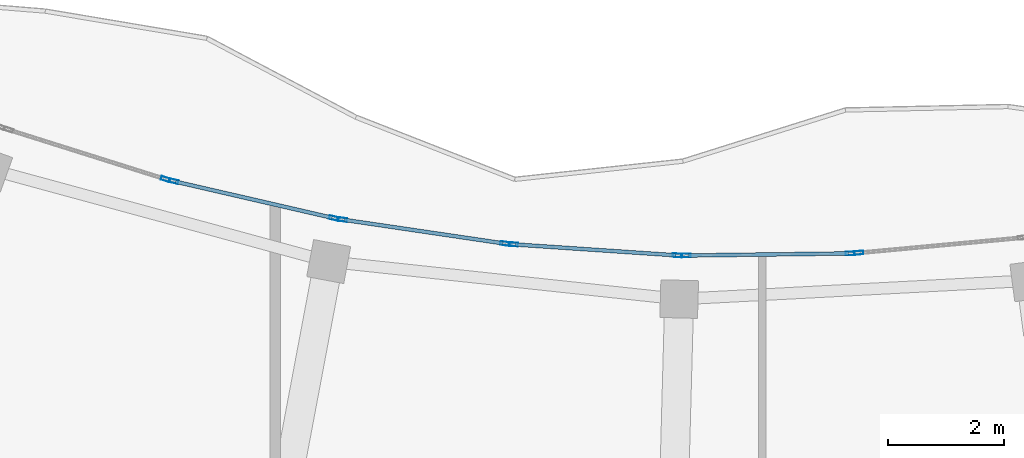
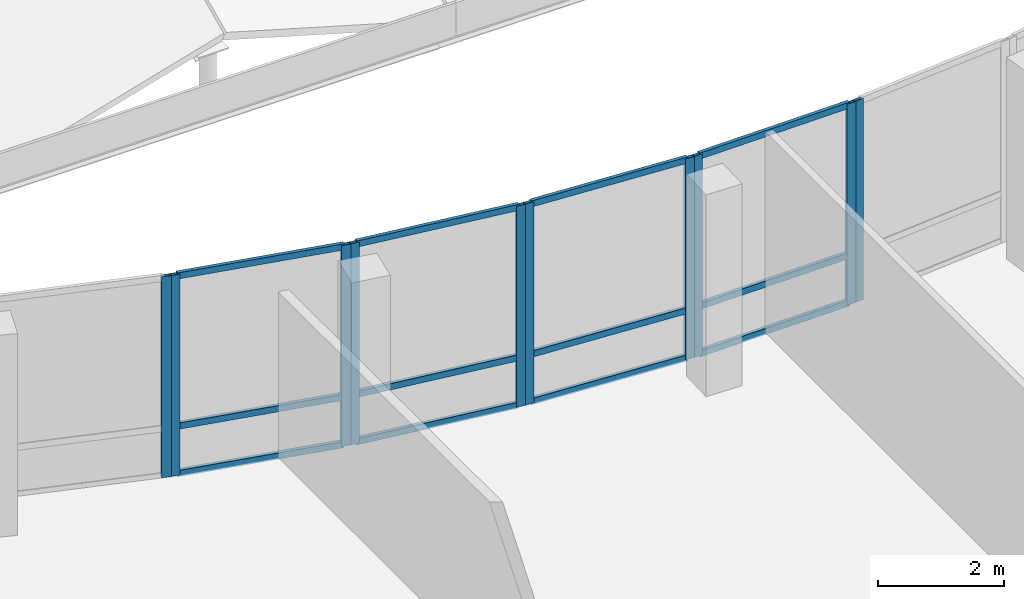
# One storey, part 38 of 184: 22 members, 6 elements without a shape of their own.
"""IFC4 building model written with IfcOpenShell, lengths in metres."""

from ifc_helpers import new_model, si_unit, direction, frame, origin, origin_2d, place, context, subcontext, project, spatial, hollow_rectangle, extrude, material, material_profile, profile_set, type_object, element, aggregate, save


model = new_model("IFC4")

# Units and contexts
model_context = context("Model", 3, precision=1e-05, world=origin(), true_north=direction((0.0, 1.0)))
body_context = subcontext(model_context, "Body", "Model", "MODEL_VIEW")
ifc_project = project(units=[si_unit("LENGTHUNIT", "METRE"), si_unit("AREAUNIT", "SQUARE_METRE"), si_unit("VOLUMEUNIT", "CUBIC_METRE"), si_unit("PLANEANGLEUNIT", "RADIAN"), si_unit("MASSUNIT", "GRAM", prefix="KILO")], contexts=[model_context])

# Site, building, storey
site_placement = place(None, origin())
site = spatial("IfcSite", under=ifc_project, at=site_placement, CompositionType="ELEMENT")
building_placement = place(site_placement, origin())
building = spatial("IfcBuilding", under=site, at=building_placement, Name="Selatvlak General Hospital", CompositionType="ELEMENT")
storey_placement = place(building_placement, frame((0.0, 0.0, 15.0)))
storey = spatial("IfcBuildingStorey", under=building, at=storey_placement, Name="L03", CompositionType="ELEMENT", Elevation=15.0)

# Curtain wall, member
ifc_material_1 = material(Name="Solar-control Low-E double glazing", Category="glass")
curtain_wall_type_1 = type_object("IfcCurtainWallType", Name="CW-CW-02", PredefinedType="USERDEFINED", material=ifc_material_1)
curtain_wall_1_placement = place(storey_placement, origin())
curtain_wall_1 = element("IfcCurtainWall", 1, at=curtain_wall_1_placement, inside=storey, type_object=curtain_wall_type_1, Name="Glazed facade curtain wall CW-L03-0446", ObjectType="UNITISED CURTAIN WALL", PredefinedType="USERDEFINED")
ifc_material_2 = material(Name="Dark anodised aluminium mullion", Category="aluminium")
ifc_material_profile_1 = material_profile(ifc_material_2, hollow_rectangle(XDim=0.06494140625, YDim=0.159912109375, WallThickness=0.00390625, at=origin_2d()), Name="AL-MUL 65x160x4")
ifc_profile_set_1 = profile_set([ifc_material_profile_1], Name="Dark anodised aluminium mullion")
member_type_1 = type_object("IfcMemberType", Name="CWM-01", PredefinedType="MULLION", material=ifc_profile_set_1)
member_1_placement = place(storey_placement, frame((46.111083984375, 43.330810546875, 0.0), z_axis=(0.0, 0.0, 1.0), x_axis=(0.300372930504, 0.953821840084, 0.0)))
member_1 = element("IfcMember", 2, at=member_1_placement, type_object=member_type_1, Name="CW-02 mullion 2", PredefinedType="MULLION", context=body_context, shape_type="SweptSolid", body=[
    extrude(hollow_rectangle(XDim=0.06494140625, YDim=0.159912109375, WallThickness=0.00390625, at=origin_2d()), origin(), (0.0, 0.0, 1.0), 3.89501953125),
])
aggregate(curtain_wall_1, [member_1])

# Curtain wall, members
curtain_wall_type_2 = type_object("IfcCurtainWallType", Name="CW-CW-01", PredefinedType="USERDEFINED", material=ifc_material_1)
curtain_wall_2_placement = place(storey_placement, origin())
curtain_wall_2 = element("IfcCurtainWall", 3, at=curtain_wall_2_placement, inside=storey, type_object=curtain_wall_type_2, Name="Glazed facade curtain wall CW-L03-0447", ObjectType="UNITISED CURTAIN WALL", PredefinedType="USERDEFINED")
member_2_placement = place(storey_placement, frame((46.251708984375, 43.294677734375, 0.0), z_axis=(0.0, 0.0, 1.0), x_axis=(0.224481730976, 0.974478297582, 0.0)))
member_2 = element("IfcMember", 4, at=member_2_placement, type_object=member_type_1, Name="CW-01 mullion 1", PredefinedType="MULLION", context=body_context, shape_type="SweptSolid", body=[
    extrude(hollow_rectangle(XDim=0.06494140625, YDim=0.159912109375, WallThickness=0.00390625, at=origin_2d()), origin(), (0.0, 0.0, 1.0), 3.89501953125),
])
member_3_placement = place(storey_placement, frame((49.014404296875, 42.658203125, 0.0), z_axis=(0.0, 0.0, 1.0), x_axis=(0.224481730976, 0.974478297582, 0.0)))
member_3 = element("IfcMember", 5, at=member_3_placement, type_object=member_type_1, Name="CW-01 mullion 2", PredefinedType="MULLION", context=body_context, shape_type="SweptSolid", body=[
    extrude(hollow_rectangle(XDim=0.06494140625, YDim=0.159912109375, WallThickness=0.00390625, at=origin_2d()), origin(), (0.0, 0.0, 1.0), 3.89501953125),
])

curtain_wall_3_placement = place(storey_placement, origin())
curtain_wall_3 = element("IfcCurtainWall", 6, at=curtain_wall_3_placement, inside=storey, type_object=curtain_wall_type_1, Name="Glazed facade curtain wall CW-L03-0448", ObjectType="UNITISED CURTAIN WALL", PredefinedType="USERDEFINED")
member_4_placement = place(storey_placement, frame((49.1572265625, 42.63427734375, 0.0), z_axis=(0.0, 0.0, 1.0), x_axis=(0.146148900327, 0.989262603626, 0.0)))
member_4 = element("IfcMember", 7, at=member_4_placement, type_object=member_type_1, Name="CW-02 mullion 1", PredefinedType="MULLION", context=body_context, shape_type="SweptSolid", body=[
    extrude(hollow_rectangle(XDim=0.06494140625, YDim=0.159912109375, WallThickness=0.00390625, at=origin_2d()), origin(), (0.0, 0.0, 1.0), 3.89501953125),
])
member_5_placement = place(storey_placement, frame((51.962890625, 42.2197265625, 0.0), z_axis=(0.0, 0.0, 1.0), x_axis=(0.146148900327, 0.989262603626, 0.0)))
member_5 = element("IfcMember", 8, at=member_5_placement, type_object=member_type_1, Name="CW-02 mullion 2", PredefinedType="MULLION", context=body_context, shape_type="SweptSolid", body=[
    extrude(hollow_rectangle(XDim=0.06494140625, YDim=0.159912109375, WallThickness=0.00390625, at=origin_2d()), origin(), (0.0, 0.0, 1.0), 3.89501953125),
])

curtain_wall_4_placement = place(storey_placement, origin())
curtain_wall_4 = element("IfcCurtainWall", 9, at=curtain_wall_4_placement, inside=storey, type_object=curtain_wall_type_2, Name="Glazed facade curtain wall CW-L03-0449", ObjectType="UNITISED CURTAIN WALL", PredefinedType="USERDEFINED")
member_6_placement = place(storey_placement, frame((52.107421875, 42.206787109375, 0.0), z_axis=(0.0, 0.0, 1.0), x_axis=(0.067182127799, 0.997740728699, 0.0)))
member_6 = element("IfcMember", 10, at=member_6_placement, type_object=member_type_1, Name="CW-01 mullion 1", PredefinedType="MULLION", context=body_context, shape_type="SweptSolid", body=[
    extrude(hollow_rectangle(XDim=0.06494140625, YDim=0.159912109375, WallThickness=0.00390625, at=origin_2d()), origin(), (0.0, 0.0, 1.0), 3.89501953125),
])
member_7_placement = place(storey_placement, frame((54.9384765625, 42.01611328125, 0.0), z_axis=(0.0, 0.0, 1.0), x_axis=(0.067182127799, 0.997740728699, 0.0)))
member_7 = element("IfcMember", 11, at=member_7_placement, type_object=member_type_1, Name="CW-01 mullion 2", PredefinedType="MULLION", context=body_context, shape_type="SweptSolid", body=[
    extrude(hollow_rectangle(XDim=0.06494140625, YDim=0.159912109375, WallThickness=0.00390625, at=origin_2d()), origin(), (0.0, 0.0, 1.0), 3.89501953125),
])

curtain_wall_5_placement = place(storey_placement, origin())
curtain_wall_5 = element("IfcCurtainWall", 12, at=curtain_wall_5_placement, inside=storey, type_object=curtain_wall_type_1, Name="Glazed facade curtain wall CW-L03-0450", ObjectType="UNITISED CURTAIN WALL", PredefinedType="USERDEFINED")
member_8_placement = place(storey_placement, frame((55.08349609375, 42.014404296875, 0.0), z_axis=(0.0, 0.0, 1.0), x_axis=(-0.012761982337, 0.999918562587, 0.0)))
member_8 = element("IfcMember", 13, at=member_8_placement, type_object=member_type_1, Name="CW-02 mullion 1", PredefinedType="MULLION", context=body_context, shape_type="SweptSolid", body=[
    extrude(hollow_rectangle(XDim=0.06494140625, YDim=0.159912109375, WallThickness=0.00390625, at=origin_2d()), origin(), (0.0, 0.0, 1.0), 3.89501953125),
])
member_9_placement = place(storey_placement, frame((57.91748046875, 42.050537109375, 0.0), z_axis=(0.0, 0.0, 1.0), x_axis=(-0.012761982337, 0.999918562587, 0.0)))
member_9 = element("IfcMember", 14, at=member_9_placement, type_object=member_type_1, Name="CW-02 mullion 2", PredefinedType="MULLION", context=body_context, shape_type="SweptSolid", body=[
    extrude(hollow_rectangle(XDim=0.06494140625, YDim=0.159912109375, WallThickness=0.00390625, at=origin_2d()), origin(), (0.0, 0.0, 1.0), 3.89501953125),
])

# Curtain wall, member
curtain_wall_6_placement = place(storey_placement, origin())
curtain_wall_6 = element("IfcCurtainWall", 15, at=curtain_wall_6_placement, inside=storey, type_object=curtain_wall_type_2, Name="Glazed facade curtain wall CW-L03-0451", ObjectType="UNITISED CURTAIN WALL", PredefinedType="USERDEFINED")
member_10_placement = place(storey_placement, frame((58.062255859375, 42.06005859375, 0.0), z_axis=(0.0, 0.0, 1.0), x_axis=(-0.092369074668, 0.99572483852, 0.0)))
member_10 = element("IfcMember", 16, at=member_10_placement, type_object=member_type_1, Name="CW-01 mullion 1", PredefinedType="MULLION", context=body_context, shape_type="SweptSolid", body=[
    extrude(hollow_rectangle(XDim=0.06494140625, YDim=0.159912109375, WallThickness=0.00390625, at=origin_2d()), origin(), (0.0, 0.0, 1.0), 3.89501953125),
])
aggregate(curtain_wall_6, [member_10])

# Member
ifc_material_profile_2 = material_profile(ifc_material_2, hollow_rectangle(XDim=0.06494140625, YDim=0.1201171875, WallThickness=0.00390625, at=origin_2d()), Name="AL-TRN 65x120x4")
ifc_profile_set_2 = profile_set([ifc_material_profile_2], Name="Dark anodised aluminium mullion")
member_type_2 = type_object("IfcMemberType", Name="CWT-01", PredefinedType="USERDEFINED", material=ifc_profile_set_2)
member_11_placement = place(storey_placement, frame((46.283447265625, 43.287353515625, 0.032470703125), z_axis=(0.974475800427, -0.224492570883, 0.0), x_axis=(0.224492570883, 0.974475800427, 0.0)))
member_11 = element("IfcMember", 17, at=member_11_placement, type_object=member_type_2, Name="CW-01 transom 1.1", ObjectType="TRANSOM", PredefinedType="USERDEFINED", context=body_context, shape_type="SweptSolid", body=[
    extrude(hollow_rectangle(XDim=0.06494140625, YDim=0.1201171875, WallThickness=0.00390625, at=origin_2d()), origin(), (0.0, 0.0, 1.0), 2.77001953125),
])

member_12_placement = place(storey_placement, frame((46.283447265625, 43.287353515625, 0.949951171875), z_axis=(0.974475800427, -0.224492570883, 0.0), x_axis=(0.224492570883, 0.974475800427, 0.0)))
member_12 = element("IfcMember", 18, at=member_12_placement, type_object=member_type_2, Name="CW-01 transom 1.2", ObjectType="TRANSOM", PredefinedType="USERDEFINED", context=body_context, shape_type="SweptSolid", body=[
    extrude(hollow_rectangle(XDim=0.06494140625, YDim=0.1201171875, WallThickness=0.00390625, at=origin_2d()), origin(), (0.0, 0.0, 1.0), 2.77001953125),
])

member_13_placement = place(storey_placement, frame((46.283447265625, 43.287353515625, 3.862548828125), z_axis=(0.974475800427, -0.224492570883, 0.0), x_axis=(0.224492570883, 0.974475800427, 0.0)))
member_13 = element("IfcMember", 19, at=member_13_placement, type_object=member_type_2, Name="CW-01 transom 1.3", ObjectType="TRANSOM", PredefinedType="USERDEFINED", context=body_context, shape_type="SweptSolid", body=[
    extrude(hollow_rectangle(XDim=0.06494140625, YDim=0.1201171875, WallThickness=0.00390625, at=origin_2d()), origin(), (0.0, 0.0, 1.0), 2.77001953125),
])

aggregate(curtain_wall_2, [member_2, member_3, member_11, member_12, member_13])

member_14_placement = place(storey_placement, frame((49.189208984375, 42.62939453125, 0.032470703125), z_axis=(0.989274299391, -0.146069711318, 0.0), x_axis=(0.146069711318, 0.989274299391, 0.0)))
member_14 = element("IfcMember", 20, at=member_14_placement, type_object=member_type_2, Name="CW-02 transom 1.1", ObjectType="TRANSOM", PredefinedType="USERDEFINED", context=body_context, shape_type="SweptSolid", body=[
    extrude(hollow_rectangle(XDim=0.06494140625, YDim=0.1201171875, WallThickness=0.00390625, at=origin_2d()), origin(), (0.0, 0.0, 1.0), 2.771240234375),
])

member_15_placement = place(storey_placement, frame((49.189208984375, 42.62939453125, 0.949951171875), z_axis=(0.989274299391, -0.146069711318, 0.0), x_axis=(0.146069711318, 0.989274299391, 0.0)))
member_15 = element("IfcMember", 21, at=member_15_placement, type_object=member_type_2, Name="CW-02 transom 1.2", ObjectType="TRANSOM", PredefinedType="USERDEFINED", context=body_context, shape_type="SweptSolid", body=[
    extrude(hollow_rectangle(XDim=0.06494140625, YDim=0.1201171875, WallThickness=0.00390625, at=origin_2d()), origin(), (0.0, 0.0, 1.0), 2.771240234375),
])

member_16_placement = place(storey_placement, frame((49.189208984375, 42.62939453125, 3.862548828125), z_axis=(0.989274299391, -0.146069711318, 0.0), x_axis=(0.146069711318, 0.989274299391, 0.0)))
member_16 = element("IfcMember", 22, at=member_16_placement, type_object=member_type_2, Name="CW-02 transom 1.3", ObjectType="TRANSOM", PredefinedType="USERDEFINED", context=body_context, shape_type="SweptSolid", body=[
    extrude(hollow_rectangle(XDim=0.06494140625, YDim=0.1201171875, WallThickness=0.00390625, at=origin_2d()), origin(), (0.0, 0.0, 1.0), 2.771240234375),
])

aggregate(curtain_wall_3, [member_4, member_5, member_14, member_15, member_16])

member_17_placement = place(storey_placement, frame((52.139892578125, 42.20458984375, 0.032470703125), z_axis=(0.997740518771, -0.067185245417, 0.0), x_axis=(0.067185245417, 0.997740518771, 0.0)))
member_17 = element("IfcMember", 23, at=member_17_placement, type_object=member_type_2, Name="CW-01 transom 1.1", ObjectType="TRANSOM", PredefinedType="USERDEFINED", context=body_context, shape_type="SweptSolid", body=[
    extrude(hollow_rectangle(XDim=0.06494140625, YDim=0.1201171875, WallThickness=0.00390625, at=origin_2d()), origin(), (0.0, 0.0, 1.0), 2.772705078125),
])

member_18_placement = place(storey_placement, frame((52.139892578125, 42.20458984375, 0.949951171875), z_axis=(0.997740518771, -0.067185245417, 0.0), x_axis=(0.067185245417, 0.997740518771, 0.0)))
member_18 = element("IfcMember", 24, at=member_18_placement, type_object=member_type_2, Name="CW-01 transom 1.2", ObjectType="TRANSOM", PredefinedType="USERDEFINED", context=body_context, shape_type="SweptSolid", body=[
    extrude(hollow_rectangle(XDim=0.06494140625, YDim=0.1201171875, WallThickness=0.00390625, at=origin_2d()), origin(), (0.0, 0.0, 1.0), 2.772705078125),
])

member_19_placement = place(storey_placement, frame((52.139892578125, 42.20458984375, 3.862548828125), z_axis=(0.997740518771, -0.067185245417, 0.0), x_axis=(0.067185245417, 0.997740518771, 0.0)))
member_19 = element("IfcMember", 25, at=member_19_placement, type_object=member_type_2, Name="CW-01 transom 1.3", ObjectType="TRANSOM", PredefinedType="USERDEFINED", context=body_context, shape_type="SweptSolid", body=[
    extrude(hollow_rectangle(XDim=0.06494140625, YDim=0.1201171875, WallThickness=0.00390625, at=origin_2d()), origin(), (0.0, 0.0, 1.0), 2.772705078125),
])

aggregate(curtain_wall_4, [member_6, member_7, member_17, member_18, member_19])

member_20_placement = place(storey_placement, frame((55.115966796875, 42.014892578125, 0.032470703125), z_axis=(0.999919413331, 0.012695150372, 0.0), x_axis=(-0.012695150372, 0.999919413331, 0.0)))
member_20 = element("IfcMember", 26, at=member_20_placement, type_object=member_type_2, Name="CW-02 transom 1.1", ObjectType="TRANSOM", PredefinedType="USERDEFINED", context=body_context, shape_type="SweptSolid", body=[
    extrude(hollow_rectangle(XDim=0.06494140625, YDim=0.1201171875, WallThickness=0.00390625, at=origin_2d()), origin(), (0.0, 0.0, 1.0), 2.769287109375),
])

member_21_placement = place(storey_placement, frame((55.115966796875, 42.014892578125, 0.949951171875), z_axis=(0.999919413331, 0.012695150372, 0.0), x_axis=(-0.012695150372, 0.999919413331, 0.0)))
member_21 = element("IfcMember", 27, at=member_21_placement, type_object=member_type_2, Name="CW-02 transom 1.2", ObjectType="TRANSOM", PredefinedType="USERDEFINED", context=body_context, shape_type="SweptSolid", body=[
    extrude(hollow_rectangle(XDim=0.06494140625, YDim=0.1201171875, WallThickness=0.00390625, at=origin_2d()), origin(), (0.0, 0.0, 1.0), 2.769287109375),
])

member_22_placement = place(storey_placement, frame((55.115966796875, 42.014892578125, 3.862548828125), z_axis=(0.999919413331, 0.012695150372, 0.0), x_axis=(-0.012695150372, 0.999919413331, 0.0)))
member_22 = element("IfcMember", 28, at=member_22_placement, type_object=member_type_2, Name="CW-02 transom 1.3", ObjectType="TRANSOM", PredefinedType="USERDEFINED", context=body_context, shape_type="SweptSolid", body=[
    extrude(hollow_rectangle(XDim=0.06494140625, YDim=0.1201171875, WallThickness=0.00390625, at=origin_2d()), origin(), (0.0, 0.0, 1.0), 2.769287109375),
])

aggregate(curtain_wall_5, [member_8, member_9, member_20, member_21, member_22])

save(model, "model.ifc")
